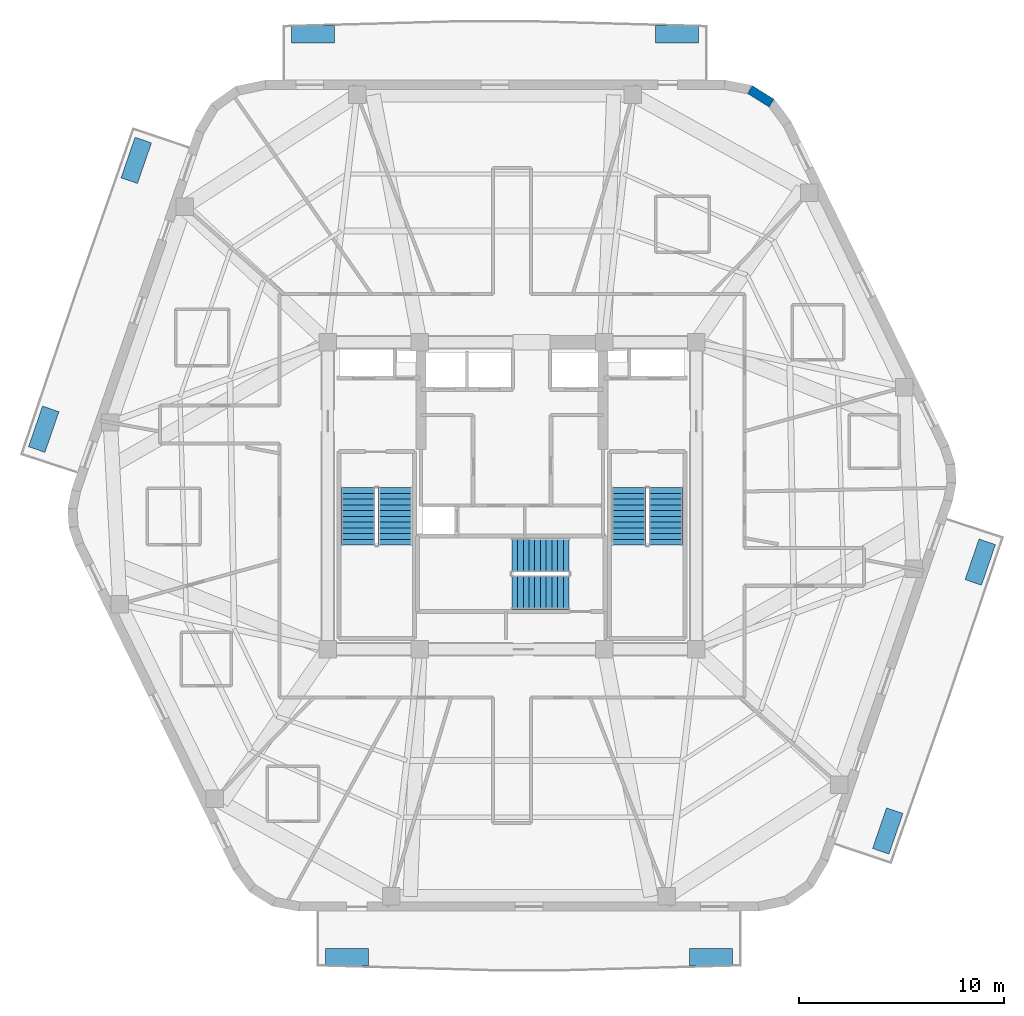
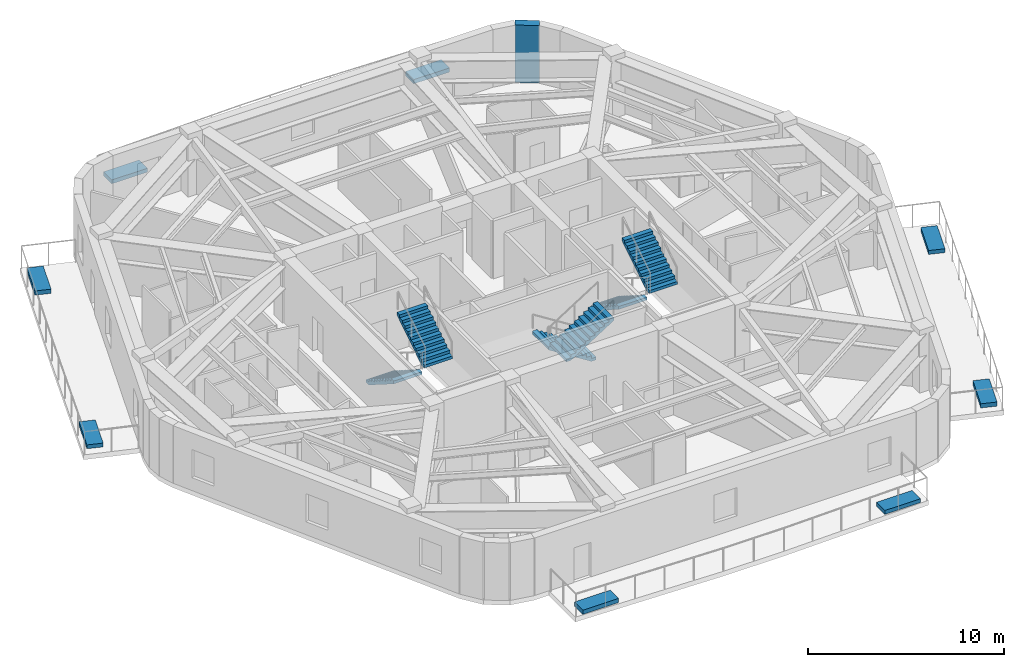
# One storey, part 7 of 9: 8 discrete accessories, 6 stair flights, 1 wall, 3 elements without a shape of their own.
"""IFC4 building model written with IfcOpenShell, lengths in metres."""

from ifc_helpers import new_model, si_unit, direction, frame, frame_2d, origin, origin_2d, place, context, subcontext, project, spatial, polyline, rectangle, outline, extrude, material, layer, layer_set, type_object, element, aggregate, save


model = new_model("IFC4")

# Units and contexts
model_context = context("Model", 3, precision=1e-05, world=origin(), true_north=direction((0.0, 1.0)))
body_context = subcontext(model_context, "Body", "Model", "MODEL_VIEW")
ifc_project = project(units=[si_unit("LENGTHUNIT", "METRE"), si_unit("AREAUNIT", "SQUARE_METRE"), si_unit("VOLUMEUNIT", "CUBIC_METRE"), si_unit("PLANEANGLEUNIT", "RADIAN"), si_unit("MASSUNIT", "GRAM", prefix="KILO")], contexts=[model_context])

# Site, building, storey
site_placement = place(None, origin())
site = spatial("IfcSite", under=ifc_project, at=site_placement, CompositionType="ELEMENT")
building_placement = place(site_placement, origin())
building = spatial("IfcBuilding", under=site, at=building_placement, Name="Kilnhurst Terrace Hotel", CompositionType="ELEMENT")
storey_placement = place(building_placement, frame((0.0, 0.0, 301.5)))
storey = spatial("IfcBuildingStorey", under=building, at=storey_placement, Name="L75", CompositionType="ELEMENT", Elevation=301.5)

# Wall
ifc_material_1 = material(Name="Precast concrete C40/50", Category="concrete")
ifc_layer = layer(ifc_material_1, 0.449951171875, Name="Precast concrete C40/50")
ifc_layer_set = layer_set([ifc_layer], Name="Precast concrete C40/50")
wall_type = type_object("IfcWallType", Name="WL-BRK-450", PredefinedType="SOLIDWALL", material=ifc_layer_set)
wall_placement = place(storey_placement, frame((12.684814453125, 19.178466796875, 0.0), z_axis=(0.0, 0.0, 1.0), x_axis=(-0.848031272749, 0.529946186362, 0.0)))
element("IfcWall", 1, at=wall_placement, inside=storey, type_object=wall_type, Name="L75 Rounded Corner Brick Wall C4.2", PredefinedType="SOLIDWALL", context=body_context, shape_type="SweptSolid", body=[
    extrude(rectangle(XDim=1.248046875, YDim=0.449951171875, at=frame_2d((0.6240234375, 0.0))), origin(), (0.0, 0.0, 1.0), 3.580078125),
])

# Stair, stair flights
ifc_material_2 = material(Name="Concrete C50/60", Category="concrete")
stair_type = type_object("IfcStairType", Name="STR-CORE-1660", PredefinedType="HALF_TURN_STAIR", material=ifc_material_2)
stair_1_placement = place(storey_placement, origin())
stair_1 = element("IfcStair", 2, at=stair_1_placement, inside=storey, type_object=stair_type, Name="L75 ST-1", PredefinedType="HALF_TURN_STAIR")
stair_flight_type = type_object("IfcStairFlightType", Name="FLT-RC-1660", PredefinedType="STRAIGHT", material=ifc_material_2)
stair_flight_1_placement = place(storey_placement, frame((-7.52001953125, 0.389892578125, 0.0), z_axis=(0.0, 0.0, 1.0), x_axis=(0.0, -1.0, 0.0)))
stair_flight_1 = element("IfcStairFlight", 3, at=stair_flight_1_placement, type_object=stair_flight_type, Name="ST-1 flight 1", NumberOfRisers=11, NumberOfTreads=10, PredefinedType="STRAIGHT", RiserHeight=0.177272727, TreadLength=0.28, context=body_context, shape_type="SweptSolid", body=[
    extrude(outline(polyline([(0.0, 0.0), (0.0, 0.17724609375), (0.280029296875, 0.17724609375), (0.280029296875, 0.3544921875), (0.56005859375, 0.3544921875), (0.56005859375, 0.53173828125), (0.840087890625, 0.53173828125), (0.840087890625, 0.708984375), (1.1201171875, 0.708984375), (1.1201171875, 0.886474609375), (1.39990234375, 0.886474609375), (1.39990234375, 1.063720703125), (1.679931640625, 1.063720703125), (1.679931640625, 1.240966796875), (1.9599609375, 1.240966796875), (1.9599609375, 1.418212890625), (2.239990234375, 1.418212890625), (2.239990234375, 1.595458984375), (2.52001953125, 1.595458984375), (2.52001953125, 1.772705078125), (2.800048828125, 1.772705078125), (2.800048828125, 1.949951171875), (2.800048828125, 1.59521484375), (0.2802734375, 0.0), (0.0, 0.0)])), frame((0.0, 0.830078125, 0.0), z_axis=(0.0, -1.0, 0.0), x_axis=(1.0, 0.0, 0.0)), (0.0, 0.0, 1.0), 1.659912109375),
])
stair_flight_2_placement = place(storey_placement, frame((-5.7099609375, -2.409912109375, 1.949951171875), z_axis=(0.0, 0.0, 1.0), x_axis=(0.0, 1.0, 0.0)))
stair_flight_2 = element("IfcStairFlight", 4, at=stair_flight_2_placement, type_object=stair_flight_type, Name="ST-1 flight 2", NumberOfRisers=11, NumberOfTreads=10, PredefinedType="STRAIGHT", RiserHeight=0.177272727, TreadLength=0.28, context=body_context, shape_type="SweptSolid", body=[
    extrude(outline(polyline([(0.0, 0.0), (0.0, 0.17724609375), (0.280029296875, 0.17724609375), (0.280029296875, 0.3544921875), (0.56005859375, 0.3544921875), (0.56005859375, 0.53173828125), (0.840087890625, 0.53173828125), (0.840087890625, 0.708984375), (1.1201171875, 0.708984375), (1.1201171875, 0.886474609375), (1.39990234375, 0.886474609375), (1.39990234375, 1.063720703125), (1.679931640625, 1.063720703125), (1.679931640625, 1.240966796875), (1.9599609375, 1.240966796875), (1.9599609375, 1.418212890625), (2.239990234375, 1.418212890625), (2.239990234375, 1.595458984375), (2.52001953125, 1.595458984375), (2.52001953125, 1.772705078125), (2.800048828125, 1.772705078125), (2.800048828125, 1.949951171875), (2.800048828125, 1.59521484375), (0.2802734375, 0.0), (0.0, 0.0)])), frame((0.0, 0.830078125, 0.0), z_axis=(0.0, -1.0, 0.0), x_axis=(1.0, 0.0, 0.0)), (0.0, 0.0, 1.0), 1.659912109375),
])
aggregate(stair_1, [stair_flight_1, stair_flight_2])

stair_2_placement = place(storey_placement, origin())
stair_2 = element("IfcStair", 5, at=stair_2_placement, inside=storey, type_object=stair_type, Name="L75 ST-2", PredefinedType="HALF_TURN_STAIR")
stair_flight_3_placement = place(storey_placement, frame((5.7099609375, 0.389892578125, 0.0), z_axis=(0.0, 0.0, 1.0), x_axis=(0.0, -1.0, 0.0)))
stair_flight_3 = element("IfcStairFlight", 6, at=stair_flight_3_placement, type_object=stair_flight_type, Name="ST-2 flight 1", NumberOfRisers=11, NumberOfTreads=10, PredefinedType="STRAIGHT", RiserHeight=0.177272727, TreadLength=0.28, context=body_context, shape_type="SweptSolid", body=[
    extrude(outline(polyline([(0.0, 0.0), (0.0, 0.17724609375), (0.280029296875, 0.17724609375), (0.280029296875, 0.3544921875), (0.56005859375, 0.3544921875), (0.56005859375, 0.53173828125), (0.840087890625, 0.53173828125), (0.840087890625, 0.708984375), (1.1201171875, 0.708984375), (1.1201171875, 0.886474609375), (1.39990234375, 0.886474609375), (1.39990234375, 1.063720703125), (1.679931640625, 1.063720703125), (1.679931640625, 1.240966796875), (1.9599609375, 1.240966796875), (1.9599609375, 1.418212890625), (2.239990234375, 1.418212890625), (2.239990234375, 1.595458984375), (2.52001953125, 1.595458984375), (2.52001953125, 1.772705078125), (2.800048828125, 1.772705078125), (2.800048828125, 1.949951171875), (2.800048828125, 1.59521484375), (0.2802734375, 0.0), (0.0, 0.0)])), frame((0.0, 0.830078125, 0.0), z_axis=(0.0, -1.0, 0.0), x_axis=(1.0, 0.0, 0.0)), (0.0, 0.0, 1.0), 1.659912109375),
])
stair_flight_4_placement = place(storey_placement, frame((7.52001953125, -2.409912109375, 1.949951171875), z_axis=(0.0, 0.0, 1.0), x_axis=(0.0, 1.0, 0.0)))
stair_flight_4 = element("IfcStairFlight", 7, at=stair_flight_4_placement, type_object=stair_flight_type, Name="ST-2 flight 2", NumberOfRisers=11, NumberOfTreads=10, PredefinedType="STRAIGHT", RiserHeight=0.177272727, TreadLength=0.28, context=body_context, shape_type="SweptSolid", body=[
    extrude(outline(polyline([(0.0, 0.0), (0.0, 0.17724609375), (0.280029296875, 0.17724609375), (0.280029296875, 0.3544921875), (0.56005859375, 0.3544921875), (0.56005859375, 0.53173828125), (0.840087890625, 0.53173828125), (0.840087890625, 0.708984375), (1.1201171875, 0.708984375), (1.1201171875, 0.886474609375), (1.39990234375, 0.886474609375), (1.39990234375, 1.063720703125), (1.679931640625, 1.063720703125), (1.679931640625, 1.240966796875), (1.9599609375, 1.240966796875), (1.9599609375, 1.418212890625), (2.239990234375, 1.418212890625), (2.239990234375, 1.595458984375), (2.52001953125, 1.595458984375), (2.52001953125, 1.772705078125), (2.800048828125, 1.772705078125), (2.800048828125, 1.949951171875), (2.800048828125, 1.59521484375), (0.2802734375, 0.0), (0.0, 0.0)])), frame((0.0, 0.830078125, 0.0), z_axis=(0.0, -1.0, 0.0), x_axis=(1.0, 0.0, 0.0)), (0.0, 0.0, 1.0), 1.659912109375),
])
aggregate(stair_2, [stair_flight_3, stair_flight_4])

stair_3_placement = place(storey_placement, origin())
stair_3 = element("IfcStair", 8, at=stair_3_placement, inside=storey, type_object=stair_type, Name="L75 ST-3", PredefinedType="HALF_TURN_STAIR")
stair_flight_5_placement = place(storey_placement, frame((2.7900390625, -2.909912109375, 0.0), z_axis=(0.0, 0.0, 1.0), x_axis=(-1.0, 0.0, 0.0)))
stair_flight_5 = element("IfcStairFlight", 9, at=stair_flight_5_placement, type_object=stair_flight_type, Name="ST-3 flight 1", NumberOfRisers=11, NumberOfTreads=10, PredefinedType="STRAIGHT", RiserHeight=0.177272727, TreadLength=0.28, context=body_context, shape_type="SweptSolid", body=[
    extrude(outline(polyline([(0.0, 0.0), (0.0, 0.17724609375), (0.280029296875, 0.17724609375), (0.280029296875, 0.3544921875), (0.56005859375, 0.3544921875), (0.56005859375, 0.53173828125), (0.840087890625, 0.53173828125), (0.840087890625, 0.708984375), (1.1201171875, 0.708984375), (1.1201171875, 0.886474609375), (1.39990234375, 0.886474609375), (1.39990234375, 1.063720703125), (1.679931640625, 1.063720703125), (1.679931640625, 1.240966796875), (1.9599609375, 1.240966796875), (1.9599609375, 1.418212890625), (2.239990234375, 1.418212890625), (2.239990234375, 1.595458984375), (2.52001953125, 1.595458984375), (2.52001953125, 1.772705078125), (2.800048828125, 1.772705078125), (2.800048828125, 1.949951171875), (2.800048828125, 1.59521484375), (0.2802734375, 0.0), (0.0, 0.0)])), frame((0.0, 0.830078125, 0.0), z_axis=(0.0, -1.0, 0.0), x_axis=(1.0, 0.0, 0.0)), (0.0, 0.0, 1.0), 1.659912109375),
])
stair_flight_6_placement = place(storey_placement, frame((-0.010009765625, -4.719970703125, 1.949951171875), z_axis=(0.0, 0.0, 1.0), x_axis=(1.0, 0.0, 0.0)))
stair_flight_6 = element("IfcStairFlight", 10, at=stair_flight_6_placement, type_object=stair_flight_type, Name="ST-3 flight 2", NumberOfRisers=11, NumberOfTreads=10, PredefinedType="STRAIGHT", RiserHeight=0.177272727, TreadLength=0.28, context=body_context, shape_type="SweptSolid", body=[
    extrude(outline(polyline([(0.0, 0.0), (0.0, 0.17724609375), (0.280029296875, 0.17724609375), (0.280029296875, 0.3544921875), (0.56005859375, 0.3544921875), (0.56005859375, 0.53173828125), (0.840087890625, 0.53173828125), (0.840087890625, 0.708984375), (1.1201171875, 0.708984375), (1.1201171875, 0.886474609375), (1.39990234375, 0.886474609375), (1.39990234375, 1.063720703125), (1.679931640625, 1.063720703125), (1.679931640625, 1.240966796875), (1.9599609375, 1.240966796875), (1.9599609375, 1.418212890625), (2.239990234375, 1.418212890625), (2.239990234375, 1.595458984375), (2.52001953125, 1.595458984375), (2.52001953125, 1.772705078125), (2.800048828125, 1.772705078125), (2.800048828125, 1.949951171875), (2.800048828125, 1.59521484375), (0.2802734375, 0.0), (0.0, 0.0)])), frame((0.0, 0.830078125, 0.0), z_axis=(0.0, -1.0, 0.0), x_axis=(1.0, 0.0, 0.0)), (0.0, 0.0, 1.0), 1.659912109375),
])
aggregate(stair_3, [stair_flight_5, stair_flight_6])

# Discrete accessories
ifc_material_3 = material(Name="Precast Concrete C40/50 Shrub Planter", Category="concrete")
discrete_accessory_type_1 = type_object("IfcDiscreteAccessoryType", Name="PLN-SHRUB-240", PredefinedType="USERDEFINED", material=ifc_material_3)
for number, where, z_axis, x_axis, name in (
    (11, (9.711669921875, -22.550048828125, 0.0), (0.0, 0.0, 1.0), (1.0, 0.0, 0.0), "L75 Structural Tree Planter Box PLANTER BAL-L1A.2"),
    (12, (22.8779296875, -3.246826171875, 0.0), (0.0, 0.0, 1.0), (0.325403125376, 0.94557538356, 0.0), "L75 Structural Tree Planter Box PLANTER BAL-L1B.2"),
    (13, (-9.711669921875, 22.550048828125, 0.0), (0.0, 0.0, 1.0), (-1.0, 0.0, 0.0), "L75 Structural Tree Planter Box PLANTER BAL-L2A.2"),
    (14, (-22.8779296875, 3.246826171875, 0.0), (0.0, 0.0, 1.0), (-0.325403125376, -0.94557538356, 0.0), "L75 Structural Tree Planter Box PLANTER BAL-L2B.2"),
):
    element("IfcDiscreteAccessory", number, at=place(storey_placement, frame(where, z_axis=z_axis, x_axis=x_axis)), inside=storey, type_object=discrete_accessory_type_1, Name=name, ObjectType="PLANTER", PredefinedType="USERDEFINED", context=body_context, shape_type="SweptSolid", body=[
        extrude(rectangle(XDim=2.10009765625, YDim=0.85009765625, at=origin_2d()), origin(), (0.0, 0.0, 1.0), 0.239990234375),
    ])
ifc_material_4 = material(Name="Precast Concrete C40/50 Tree Planter", Category="concrete")
discrete_accessory_type_2 = type_object("IfcDiscreteAccessoryType", Name="PLN-TREE-260", PredefinedType="USERDEFINED", material=ifc_material_4)
for number, where, z_axis, x_axis, name in (
    (15, (-8.0498046875, -22.550048828125, 0.0), (0.0, 0.0, 1.0), (1.0, 0.0, 0.0), "L75 Structural Tree Planter Box PLANTER BAL-L1A.1"),
    (16, (18.35791015625, -16.381591796875, 0.0), (0.0, 0.0, 1.0), (0.325403125376, 0.94557538356, 0.0), "L75 Structural Tree Planter Box PLANTER BAL-L1B.1"),
    (17, (8.0498046875, 22.550048828125, 0.0), (0.0, 0.0, 1.0), (-1.0, 0.0, 0.0), "L75 Structural Tree Planter Box PLANTER BAL-L2A.1"),
    (18, (-18.35791015625, 16.381591796875, 0.0), (0.0, 0.0, 1.0), (-0.325403125376, -0.94557538356, 0.0), "L75 Structural Tree Planter Box PLANTER BAL-L2B.1"),
):
    element("IfcDiscreteAccessory", number, at=place(storey_placement, frame(where, z_axis=z_axis, x_axis=x_axis)), inside=storey, type_object=discrete_accessory_type_2, Name=name, ObjectType="PLANTER", PredefinedType="USERDEFINED", context=body_context, shape_type="SweptSolid", body=[
        extrude(rectangle(XDim=2.10009765625, YDim=0.85009765625, at=origin_2d()), origin(), (0.0, 0.0, 1.0), 0.260009765625),
    ])

save(model, "model.ifc")
